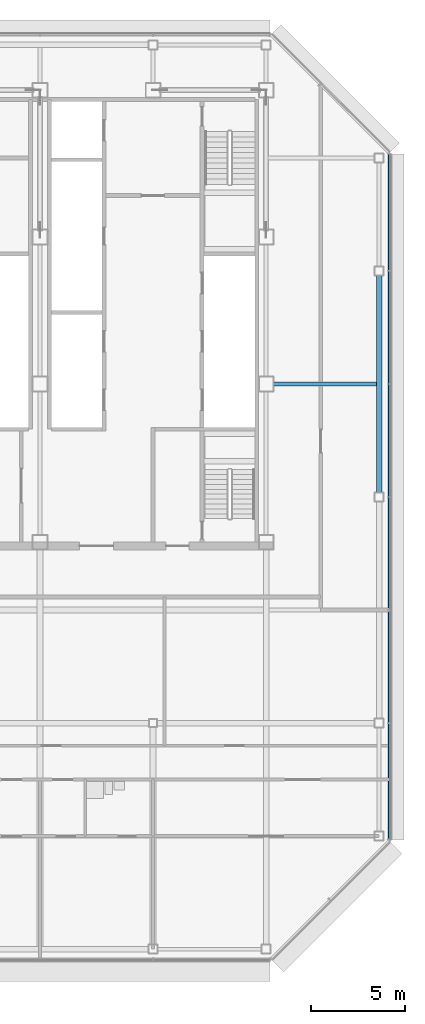
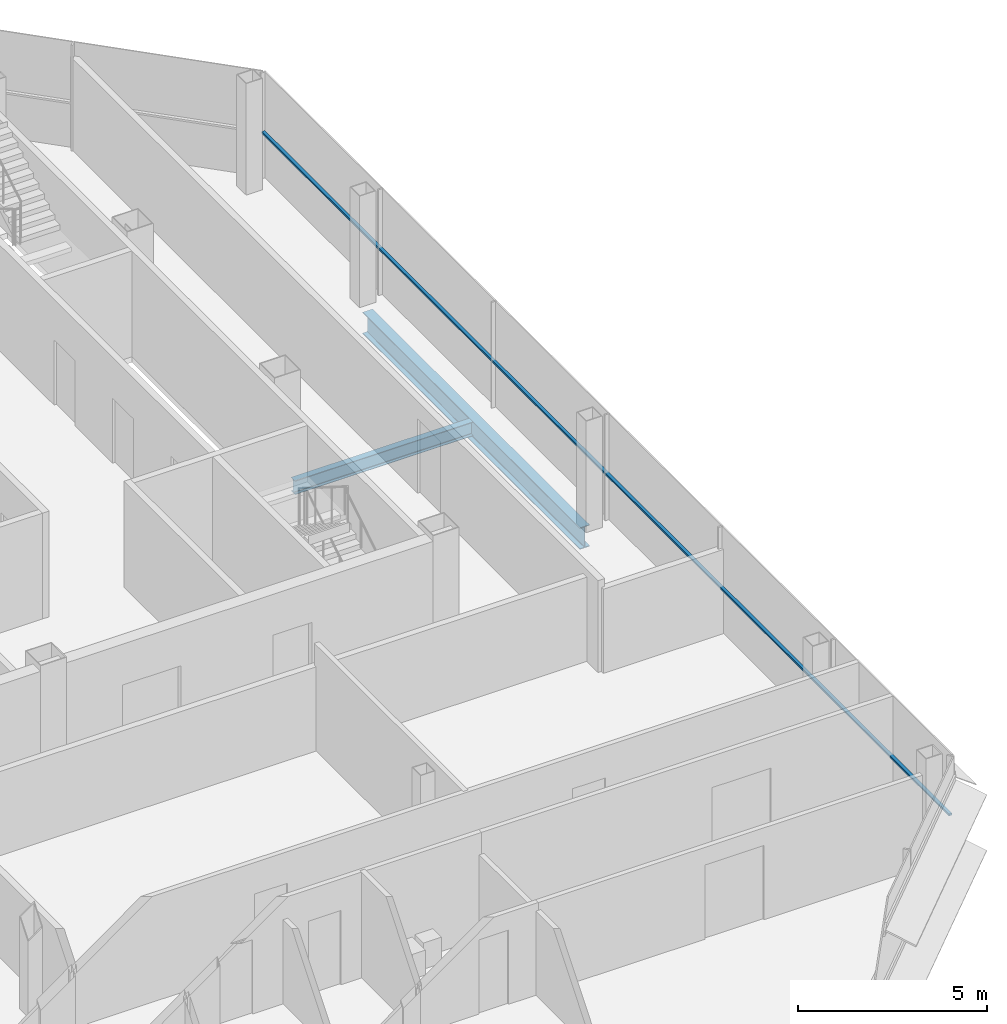
# One storey, part 18 of 28: 2 beams, 1 member, 1 element without a shape of its own.
"""IFC4 building model written with IfcOpenShell, lengths in metres."""

from ifc_helpers import new_model, si_unit, direction, frame, origin, origin_2d, place, context, subcontext, project, spatial, rectangle, i_section, extrude, material, material_profile, profile_set, type_object, element, aggregate, save


model = new_model("IFC4")

# Units and contexts
model_context = context("Model", 3, precision=1e-05, world=origin(), true_north=direction((0.0, 1.0)))
body_context = subcontext(model_context, "Body", "Model", "MODEL_VIEW")
ifc_project = project(units=[si_unit("LENGTHUNIT", "METRE"), si_unit("AREAUNIT", "SQUARE_METRE"), si_unit("VOLUMEUNIT", "CUBIC_METRE"), si_unit("PLANEANGLEUNIT", "RADIAN"), si_unit("MASSUNIT", "GRAM", prefix="KILO")], contexts=[model_context])

# Site, building, storey
site_placement = place(None, origin())
site = spatial("IfcSite", under=ifc_project, at=site_placement, CompositionType="ELEMENT")
building_placement = place(site_placement, origin())
building = spatial("IfcBuilding", under=site, at=building_placement, Name="Sorahane Residences", CompositionType="ELEMENT")
storey_placement = place(building_placement, frame((0.0, 0.0, 305.199951171875)))
storey = spatial("IfcBuildingStorey", under=building, at=storey_placement, Name="L72", CompositionType="ELEMENT", Elevation=305.199951171875)

# Curtain wall, member
ifc_material_1 = material(Name="Dark low-e glass and black anodised aluminium", Category="aluminium")
curtain_wall_type = type_object("IfcCurtainWallType", Name="Curtain wall CW-1 Typical unitised wall", PredefinedType="NOTDEFINED", material=ifc_material_1)
curtain_wall_placement = place(storey_placement, origin())
curtain_wall = element("IfcCurtainWall", 1, at=curtain_wall_placement, inside=storey, type_object=curtain_wall_type, Name="CW-1 curtain wall L72 E1", PredefinedType="NOTDEFINED")
ifc_material_2 = material(Name="Black anodised aluminium", Category="aluminium")
ifc_material_profile_1 = material_profile(ifc_material_2, rectangle(XDim=0.10009765625, YDim=0.06005859375, at=origin_2d()), Name="Curtain wall transom CW-1 black anodised aluminium 60x100")
ifc_profile_set_1 = profile_set([ifc_material_profile_1], Name="Black anodised aluminium")
member_type = type_object("IfcMemberType", Name="Curtain wall transom CW-1 black anodised aluminium 60x100", PredefinedType="USERDEFINED", material=ifc_profile_set_1)
member_placement = place(storey_placement, frame((48.530029296875, 5.801513671875, 1.5), z_axis=(0.0, 1.0, 0.0), x_axis=(-1.0, 0.0, 0.0)))
member = element("IfcMember", 2, at=member_placement, type_object=member_type, Name="CW-1 transom L72 E1", ObjectType="TRANSOM", PredefinedType="USERDEFINED", context=body_context, shape_type="SweptSolid", body=[
    extrude(rectangle(XDim=0.10009765625, YDim=0.06005859375, at=origin_2d()), origin(), (0.0, 0.0, 1.0), 36.39697265625),
])
aggregate(curtain_wall, [member])

# Beams
ifc_material_3 = material(Name="Steel Q355B", Category="steel")
ifc_material_profile_2 = material_profile(ifc_material_3, i_section(OverallWidth=0.199951171875, OverallDepth=0.449951171875, WebThickness=0.009033203125, FlangeThickness=0.013916015625, FilletRadius=0.02001953125, at=origin_2d()), Name="HN 450x200x9x14")
ifc_profile_set_2 = profile_set([ifc_material_profile_2], Name="Steel Q355B")
beam_type_1 = type_object("IfcBeamType", Name="Steel floor beam HN 450x200x9x14 Q355B", PredefinedType="BEAM", material=ifc_profile_set_2)
beam_1_placement = place(storey_placement, frame((42.39990234375, 30.0, -0.405029296875), z_axis=(1.0, 0.0, 0.0), x_axis=(0.0, 1.0, 0.0)))
element("IfcBeam", 3, at=beam_1_placement, inside=storey, type_object=beam_type_1, Name="Beam L72 086", PredefinedType="BEAM", context=body_context, shape_type="SweptSolid", body=[
    extrude(i_section(OverallWidth=0.199951171875, OverallDepth=0.449951171875, WebThickness=0.009033203125, FlangeThickness=0.013916015625, FilletRadius=0.02001953125, at=origin_2d()), origin(), (0.0, 0.0, 1.0), 5.4501953125),
])
ifc_material_4 = material(Name="Steel Q355B", Category="steel")
ifc_material_profile_3 = material_profile(ifc_material_4, i_section(OverallWidth=0.300048828125, OverallDepth=0.699951171875, WebThickness=0.012939453125, FlangeThickness=0.02392578125, FilletRadius=0.028076171875, at=origin_2d()), Name="HN 700x300x13x24")
ifc_profile_set_3 = profile_set([ifc_material_profile_3], Name="Steel Q355B")
beam_type_2 = type_object("IfcBeamType", Name="Steel floor beam HN 700x300x13x24 Q355B", PredefinedType="BEAM", material=ifc_profile_set_3)
beam_2_placement = place(storey_placement, frame((48.0, 24.25, -0.530029296875), z_axis=(0.0, 1.0, 0.0), x_axis=(-1.0, 0.0, 0.0)))
element("IfcBeam", 4, at=beam_2_placement, inside=storey, type_object=beam_type_2, Name="Beam L72 064", PredefinedType="BEAM", context=body_context, shape_type="SweptSolid", body=[
    extrude(i_section(OverallWidth=0.300048828125, OverallDepth=0.699951171875, WebThickness=0.012939453125, FlangeThickness=0.02392578125, FilletRadius=0.028076171875, at=origin_2d()), origin(), (0.0, 0.0, 1.0), 11.5),
])

save(model, "model.ifc")
